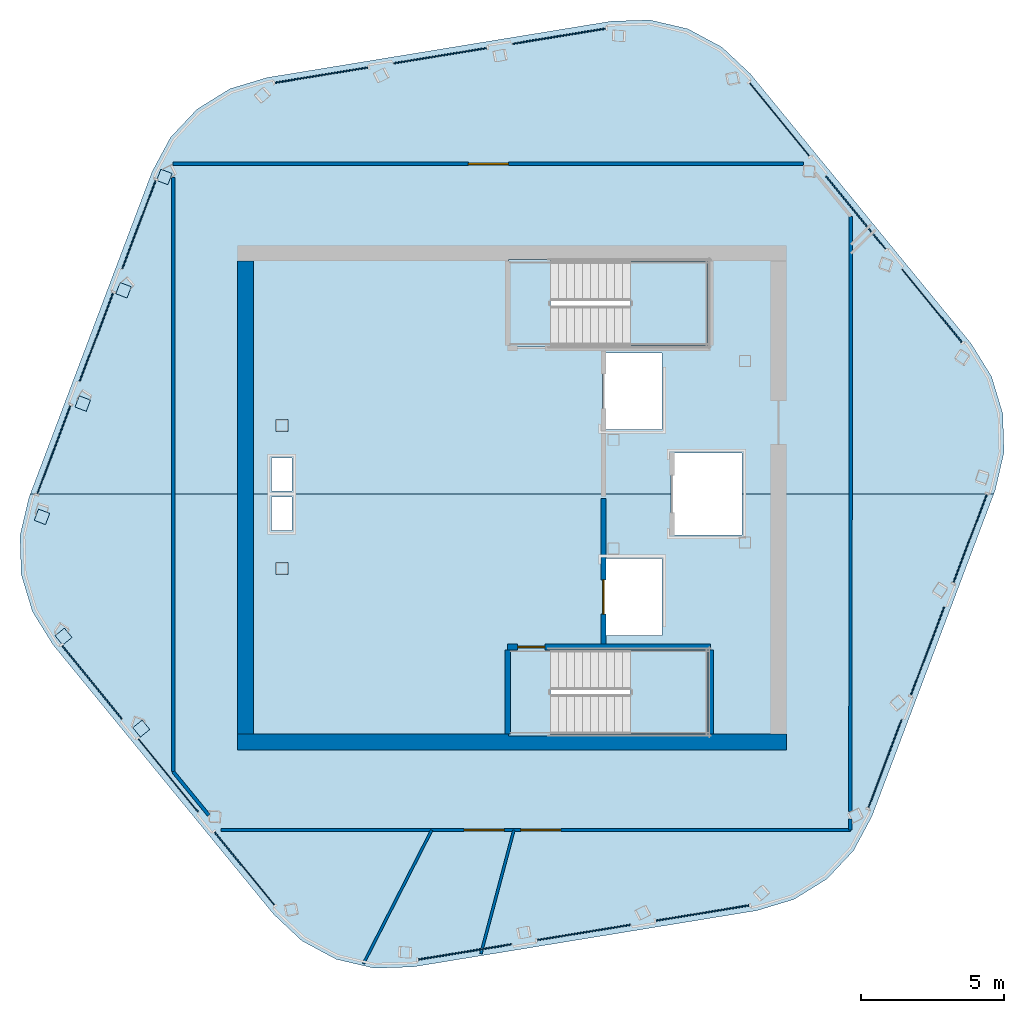
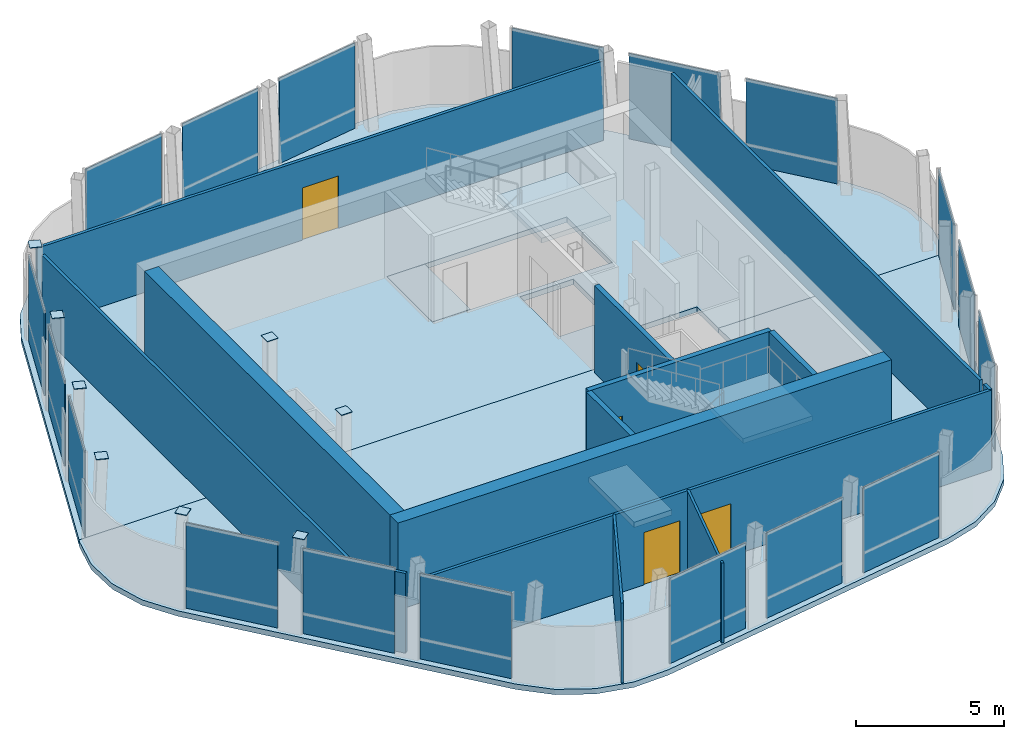
# One storey, part 4 of 8: 26 plates, 14 walls, 6 slabs, 5 doors, 5 openings, 8 elements without a shape of their own.
"""IFC4 building model written with IfcOpenShell, lengths in metres."""

import ifcopenshell
import ifcopenshell.guid

model = None  # the IFC model being written
_history = None  # IfcOwnerHistory: only IFC2X3 demands one
_inside = {}  # id of a spatial element -> (the spatial element, [elements in it])
_under = {}  # id of a project, library or spatial element -> (it, [spatial elements below it])
_declared = {}  # id of a project -> (the project, [libraries it declares])
_typed = {}  # id of a type object -> (the type object, [elements of that type])
_made_of = {}  # id of a material, layer set ... -> (it, [elements and type objects made of it])


def new_model(schema):
    """Start an empty IFC model of exactly this schema.

    Asked for "IFC4X3", IfcOpenShell would pick the latest addendum, in which some entities
    have other attributes; the version numbers below select the first issue.
    IFC2X3 requires an IfcOwnerHistory on every rooted entity: one is made here for all.
    """
    global model, _history
    if schema == "IFC4X3":
        model = ifcopenshell.file(schema_version=(4, 3, 0, 0))
    else:
        model = ifcopenshell.file(schema=schema)
    _inside.clear()
    _under.clear()
    _declared.clear()
    _typed.clear()
    _made_of.clear()
    _history = None
    if model.schema == "IFC2X3":
        org = make("IfcOrganization", Name="unknown")
        user = make(
            "IfcPersonAndOrganization",
            ThePerson=make("IfcPerson", FamilyName="unknown"),
            TheOrganization=org,
        )
        app = make(
            "IfcApplication",
            ApplicationDeveloper=org,
            Version="unknown",
            ApplicationFullName="unknown",
            ApplicationIdentifier="unknown",
        )
        _history = make(
            "IfcOwnerHistory",
            OwningUser=user,
            OwningApplication=app,
            ChangeAction="ADDED",
            CreationDate=0,
        )
    return model


def make(cls, **values):
    """One entity of the class cls with the attributes given. An attribute that is None is left unset."""
    return model.create_entity(
        cls, **{name: value for name, value in values.items() if value is not None}
    )


def rooted(cls, **values):
    """An entity with a GlobalId (a new one), such as an element, a storey or a relation."""
    return make(cls, GlobalId=ifcopenshell.guid.new(), OwnerHistory=_history, **values)


def si_unit(unit_type, name, prefix=None):
    """IfcSIUnit, for example si_unit("LENGTHUNIT", "METRE", prefix="MILLI")."""
    return make("IfcSIUnit", UnitType=unit_type, Prefix=prefix, Name=name)


def assignment(units):
    """IfcUnitAssignment: the units of a project."""
    return None if units is None else make("IfcUnitAssignment", Units=units)


def point(xyz):
    """IfcCartesianPoint."""
    return None if xyz is None else make("IfcCartesianPoint", Coordinates=xyz)


def direction(xyz):
    """IfcDirection."""
    return None if xyz is None else make("IfcDirection", DirectionRatios=xyz)


def frame(location, z_axis=None, x_axis=None):
    """IfcAxis2Placement3D, a coordinate frame: its origin and axes. An axis left out is left unset."""
    return make(
        "IfcAxis2Placement3D",
        Location=point(location),
        Axis=direction(z_axis),
        RefDirection=direction(x_axis),
    )


def frame_2d(location, x_axis=None):
    """IfcAxis2Placement2D, a coordinate frame in the plane: its origin and x axis."""
    return make(
        "IfcAxis2Placement2D", Location=point(location), RefDirection=direction(x_axis)
    )


def origin():
    """The frame at (0, 0, 0) with its axes left unset."""
    return frame((0.0, 0.0, 0.0))


def origin_2d():
    """The frame at (0, 0) in the plane with its x axis left unset."""
    return frame_2d((0.0, 0.0))


def place(relative_to, where):
    """IfcLocalPlacement: puts the frame where relative to a parent placement (None: the world)."""
    return make(
        "IfcLocalPlacement", PlacementRelTo=relative_to, RelativePlacement=where
    )


def context(
    kind, dimensions, precision=None, world=None, true_north=None, identifier=None
):
    """IfcGeometricRepresentationContext, for example the 3D "Model" context."""
    return make(
        "IfcGeometricRepresentationContext",
        ContextIdentifier=identifier,
        ContextType=kind,
        CoordinateSpaceDimension=dimensions,
        Precision=precision,
        WorldCoordinateSystem=world,
        TrueNorth=true_north,
    )


def subcontext(parent, identifier, kind, view, scale=None):
    """IfcGeometricRepresentationSubContext, for example "Body" below "Model"."""
    return make(
        "IfcGeometricRepresentationSubContext",
        ContextIdentifier=identifier,
        ContextType=kind,
        ParentContext=parent,
        TargetScale=scale,
        TargetView=view,
    )


def project(units=None, contexts=None):
    """IfcProject with its units and contexts."""
    return rooted(
        "IfcProject",
        Name="project",
        RepresentationContexts=contexts,
        UnitsInContext=assignment(units),
    )


def spatial(cls, under=None, at=None, **own):
    """A site, building, storey or space (cls), placed at a placement, below another one or the project."""
    s = rooted(cls, ObjectPlacement=at, **own)
    if under is not None:
        _under.setdefault(under.id(), (under, []))[1].append(s)
    return s


def polyline(points):
    """IfcPolyline through the points."""
    return make("IfcPolyline", Points=[point(p) for p in points])


def profile(cls, at=None, kind="AREA", **sizes):
    """A parametric profile (cls). Its sizes go by their IFC names, for example OverallWidth=200.0."""
    return make(cls, ProfileType=kind, Position=at, **sizes)


def rectangle(**sizes):
    """IfcRectangleProfileDef."""
    return profile("IfcRectangleProfileDef", **sizes)


def outline(outer, holes=None, kind="AREA"):
    """IfcArbitraryClosedProfileDef: a profile drawn as a closed curve; with holes, ...WithVoids."""
    if holes is None:
        return make("IfcArbitraryClosedProfileDef", ProfileType=kind, OuterCurve=outer)
    return make(
        "IfcArbitraryProfileDefWithVoids",
        ProfileType=kind,
        OuterCurve=outer,
        InnerCurves=holes,
    )


def extrude(swept, where, along, depth):
    """IfcExtrudedAreaSolid: the profile swept, set in the frame where, extruded along a direction by depth."""
    return make(
        "IfcExtrudedAreaSolid",
        SweptArea=swept,
        Position=where,
        ExtrudedDirection=direction(along),
        Depth=depth,
    )


def shape(context_of_items, identifier, shape_type, items):
    """IfcShapeRepresentation: the items that make up one representation, for example the "Body"."""
    return make(
        "IfcShapeRepresentation",
        ContextOfItems=context_of_items,
        RepresentationIdentifier=identifier,
        RepresentationType=shape_type,
        Items=items,
    )


def material(Name=None, Category=None):
    """IfcMaterial."""
    return make("IfcMaterial", Name=Name, Category=Category)


def layer(
    of_material, thickness, ventilated=None, Name=None, Category=None, Priority=None
):
    """IfcMaterialLayer: one layer of a wall or slab, of a material (None: an air gap)."""
    return make(
        "IfcMaterialLayer",
        Material=of_material,
        LayerThickness=thickness,
        IsVentilated=ventilated,
        Name=Name,
        Category=Category,
        Priority=Priority,
    )


def layer_set(layers, Name=None):
    """IfcMaterialLayerSet."""
    return make("IfcMaterialLayerSet", MaterialLayers=layers, LayerSetName=Name)


def made_of(thing, what):
    """Note that an element or type object is made of a material, layer set ...; save() writes the relation."""
    if what is not None:
        _made_of.setdefault(what.id(), (what, []))[1].append(thing)
    return thing


def type_object(cls, material=None, **own):
    """A type object (cls), such as IfcWallType, which elements share."""
    return made_of(rooted(cls, **own), material)


def element(
    cls,
    number,
    at=None,
    inside=None,
    cuts=None,
    type_object=None,
    material=None,
    context=None,
    identifier="Body",
    shape_type=None,
    held_by="IfcProductDefinitionShape",
    body=None,
    shapes=None,
    **own,
):
    """One element of the class cls, such as IfcWall. Its Tag is "e" and its number.

    at: its placement. inside: the storey or other place that contains it. cuts: it is an
    opening in that element (IfcRelVoidsElement). A single representation is given by context,
    identifier, shape_type and body (its items); several are given by shapes. held_by: the class
    of the entity that holds the representations. save() writes the other relations.
    """
    e = rooted(cls, Tag="e%d" % number, ObjectPlacement=at, **own)
    if body is not None:
        shapes = [shape(context, identifier, shape_type, body)]
    if shapes is not None:
        e.Representation = make(held_by, Representations=shapes)
    if inside is not None:
        _inside.setdefault(inside.id(), (inside, []))[1].append(e)
    if cuts is not None:
        rooted(
            "IfcRelVoidsElement", RelatingBuildingElement=cuts, RelatedOpeningElement=e
        )
    if type_object is not None:
        _typed.setdefault(type_object.id(), (type_object, []))[1].append(e)
    return made_of(e, material)


def fill(opening, filler):
    """IfcRelFillsElement: the door or window that sits in an opening."""
    return rooted(
        "IfcRelFillsElement",
        RelatingOpeningElement=opening,
        RelatedBuildingElement=filler,
    )


def aggregate(whole, parts):
    """IfcRelAggregates: a whole, such as a stair, and the parts it consists of."""
    return rooted("IfcRelAggregates", RelatingObject=whole, RelatedObjects=parts)


def save(model, path):
    """Write the relations noted so far, then the file.

    IfcRelAggregates (storeys below a building ...), IfcRelContainedInSpatialStructure (elements
    in a storey), IfcRelDefinesByType, IfcRelAssociatesMaterial and IfcRelDeclares: one each for
    every whole, place, type object, material and project.
    """
    for whole, parts in _under.values():
        aggregate(whole, parts)
    for where, things in _inside.values():
        rooted(
            "IfcRelContainedInSpatialStructure",
            RelatedElements=things,
            RelatingStructure=where,
        )
    for kind, things in _typed.values():
        rooted("IfcRelDefinesByType", RelatedObjects=things, RelatingType=kind)
    for what, things in _made_of.values():
        rooted("IfcRelAssociatesMaterial", RelatedObjects=things, RelatingMaterial=what)
    for by, libraries in _declared.values():
        rooted("IfcRelDeclares", RelatingContext=by, RelatedDefinitions=libraries)
    model.write(path)


model = new_model("IFC4")

# Units and contexts
model_context = context("Model", 3, precision=1e-05, world=origin(), true_north=direction((0.0, 1.0)))
body_context = subcontext(model_context, "Body", "Model", "MODEL_VIEW")
ifc_project = project(units=[si_unit("LENGTHUNIT", "METRE"), si_unit("AREAUNIT", "SQUARE_METRE"), si_unit("VOLUMEUNIT", "CUBIC_METRE"), si_unit("PLANEANGLEUNIT", "RADIAN"), si_unit("MASSUNIT", "GRAM", prefix="KILO")], contexts=[model_context])

# Site, building, storey
site_placement = place(None, origin())
site = spatial("IfcSite", under=ifc_project, at=site_placement, CompositionType="ELEMENT")
building_placement = place(site_placement, origin())
building = spatial("IfcBuilding", under=site, at=building_placement, Name="Valkerne Bourse Tower", CompositionType="ELEMENT")
storey_placement = place(building_placement, frame((0.0, 0.0, 323.0)))
storey = spatial("IfcBuildingStorey", under=building, at=storey_placement, Name="L82", CompositionType="ELEMENT", Elevation=323.0)

# Curtain wall, plates
ifc_material_1 = material(Name="Aluminium AA 6063-T6", Category="aluminium")
ifc_layer_1 = layer(ifc_material_1, 0.25)
ifc_layer_set_1 = layer_set([ifc_layer_1], Name="Aluminium AA 6063-T6")
curtain_wall_type = type_object("IfcCurtainWallType", Name="CW-06", PredefinedType="NOTDEFINED", material=ifc_layer_set_1)
curtain_wall_1_placement = place(storey_placement, origin())
curtain_wall_1 = element("IfcCurtainWall", 1, at=curtain_wall_1_placement, inside=storey, type_object=curtain_wall_type, Name="L82 Hexagonal Stick Curtain Wall Face 1", PredefinedType="NOTDEFINED")
ifc_material_2 = material(Name="Bronze Anodised Aluminium AA 6063-T6", Category="aluminium")
ifc_layer_2 = layer(ifc_material_2, 0.0400390625)
ifc_layer_set_2 = layer_set([ifc_layer_2], Name="Bronze Anodised Aluminium AA 6063-T6")
plate_type_1 = type_object("IfcPlateType", Name="CW-PNL-LOUVRE-40", PredefinedType="CURTAIN_PANEL", material=ifc_layer_set_2)
plate_1_placement = place(storey_placement, frame((48.445556640625, 43.01513671875, 0.030029296875), z_axis=(0.0, 0.0, 1.0), x_axis=(-0.98685517608, -0.161607120647, 0.0)))
plate_1 = element("IfcPlate", 2, at=plate_1_placement, type_object=plate_type_1, Name="CW-L82-F1 Curtain Panel 00", PredefinedType="CURTAIN_PANEL", context=body_context, shape_type="SweptSolid", body=[
    extrude(rectangle(XDim=3.2919921875, YDim=0.0400390625, at=origin_2d()), origin(), (0.0, 0.0, 1.0), 3.52001953125),
])
plate_2_placement = place(storey_placement, frame((44.288818359375, 42.33447265625, 0.030029296875), z_axis=(0.0, 0.0, 1.0), x_axis=(-0.986854556011, -0.161610907056, 0.0)))
plate_2 = element("IfcPlate", 3, at=plate_2_placement, type_object=plate_type_1, Name="CW-L82-F1 Curtain Panel 01", PredefinedType="CURTAIN_PANEL", context=body_context, shape_type="SweptSolid", body=[
    extrude(rectangle(XDim=3.2919921875, YDim=0.0400390625, at=origin_2d()), origin(), (0.0, 0.0, 1.0), 3.52001953125),
])
plate_3_placement = place(storey_placement, frame((40.132080078125, 41.65380859375, 0.030029296875), z_axis=(0.0, 0.0, 1.0), x_axis=(-0.986858342261, -0.161587785149, 0.0)))
plate_3 = element("IfcPlate", 4, at=plate_3_placement, type_object=plate_type_1, Name="CW-L82-F1 Curtain Panel 02", PredefinedType="CURTAIN_PANEL", context=body_context, shape_type="SweptSolid", body=[
    extrude(rectangle(XDim=3.2919921875, YDim=0.0400390625, at=origin_2d()), origin(), (0.0, 0.0, 1.0), 3.52001953125),
])
aggregate(curtain_wall_1, [plate_1, plate_2, plate_3])

curtain_wall_2_placement = place(storey_placement, origin())
curtain_wall_2 = element("IfcCurtainWall", 5, at=curtain_wall_2_placement, inside=storey, type_object=curtain_wall_type, Name="L82 Hexagonal Stick Curtain Wall Face 2", PredefinedType="NOTDEFINED")
plate_4_placement = place(storey_placement, frame((33.753173828125, 36.4326171875, 0.030029296875), z_axis=(0.0, 0.0, 1.0), x_axis=(-0.353487366331, -0.935439298856, 0.0)))
plate_4 = element("IfcPlate", 6, at=plate_4_placement, type_object=plate_type_1, Name="CW-L82-F2 Curtain Panel 00", PredefinedType="CURTAIN_PANEL", context=body_context, shape_type="SweptSolid", body=[
    extrude(rectangle(XDim=3.2919921875, YDim=0.0400390625, at=origin_2d()), origin(), (0.0, 0.0, 1.0), 3.52001953125),
])
plate_5_placement = place(storey_placement, frame((32.264404296875, 32.49267578125, 0.030029296875), z_axis=(0.0, 0.0, 1.0), x_axis=(-0.353466591137, -0.935447149202, 0.0)))
plate_5 = element("IfcPlate", 7, at=plate_5_placement, type_object=plate_type_1, Name="CW-L82-F2 Curtain Panel 01", PredefinedType="CURTAIN_PANEL", context=body_context, shape_type="SweptSolid", body=[
    extrude(rectangle(XDim=3.2919921875, YDim=0.0400390625, at=origin_2d()), origin(), (0.0, 0.0, 1.0), 3.52001953125),
])
plate_6_placement = place(storey_placement, frame((30.775634765625, 28.552490234375, 0.030029296875), z_axis=(0.0, 0.0, 1.0), x_axis=(-0.353466591137, -0.935447149202, 0.0)))
plate_6 = element("IfcPlate", 8, at=plate_6_placement, type_object=plate_type_1, Name="CW-L82-F2 Curtain Panel 02", PredefinedType="CURTAIN_PANEL", context=body_context, shape_type="SweptSolid", body=[
    extrude(rectangle(XDim=3.2919921875, YDim=0.0400390625, at=origin_2d()), origin(), (0.0, 0.0, 1.0), 3.52001953125),
])
aggregate(curtain_wall_2, [plate_4, plate_5, plate_6])

curtain_wall_3_placement = place(storey_placement, origin())
curtain_wall_3 = element("IfcCurtainWall", 9, at=curtain_wall_3_placement, inside=storey, type_object=curtain_wall_type, Name="L82 Hexagonal Stick Curtain Wall Face 3", PredefinedType="NOTDEFINED")
plate_7_placement = place(storey_placement, frame((32.107666015625, 20.41748046875, 0.030029296875), z_axis=(0.0, 0.0, 1.0), x_axis=(0.633382580386, -0.773838811939, 0.0)))
plate_7 = element("IfcPlate", 10, at=plate_7_placement, type_object=plate_type_1, Name="CW-L82-F3 Curtain Panel 00", PredefinedType="CURTAIN_PANEL", context=body_context, shape_type="SweptSolid", body=[
    extrude(rectangle(XDim=3.2919921875, YDim=0.0400390625, at=origin_2d()), origin(), (0.0, 0.0, 1.0), 3.52001953125),
])
plate_8_placement = place(storey_placement, frame((34.775390625, 17.158203125, 0.030029296875), z_axis=(0.0, 0.0, 1.0), x_axis=(0.633382580386, -0.773838811939, 0.0)))
plate_8 = element("IfcPlate", 11, at=plate_8_placement, type_object=plate_type_1, Name="CW-L82-F3 Curtain Panel 01", PredefinedType="CURTAIN_PANEL", context=body_context, shape_type="SweptSolid", body=[
    extrude(rectangle(XDim=3.2919921875, YDim=0.0400390625, at=origin_2d()), origin(), (0.0, 0.0, 1.0), 3.52001953125),
])
plate_9_placement = place(storey_placement, frame((37.443359375, 13.898681640625, 0.030029296875), z_axis=(0.0, 0.0, 1.0), x_axis=(0.633382580386, -0.773838811939, 0.0)))
plate_9 = element("IfcPlate", 12, at=plate_9_placement, type_object=plate_type_1, Name="CW-L82-F3 Curtain Panel 02", PredefinedType="CURTAIN_PANEL", context=body_context, shape_type="SweptSolid", body=[
    extrude(rectangle(XDim=3.2919921875, YDim=0.0400390625, at=origin_2d()), origin(), (0.0, 0.0, 1.0), 3.52001953125),
])
aggregate(curtain_wall_3, [plate_7, plate_8, plate_9])

curtain_wall_4_placement = place(storey_placement, origin())
curtain_wall_4 = element("IfcCurtainWall", 13, at=curtain_wall_4_placement, inside=storey, type_object=curtain_wall_type, Name="L82 Hexagonal Stick Curtain Wall Face 4", PredefinedType="NOTDEFINED")
plate_10_placement = place(storey_placement, frame((45.154541015625, 10.98486328125, 0.030029296875), z_axis=(0.0, 0.0, 1.0), x_axis=(0.98685517608, 0.161607120647, 0.0)))
plate_10 = element("IfcPlate", 14, at=plate_10_placement, type_object=plate_type_1, Name="CW-L82-F4 Curtain Panel 00", PredefinedType="CURTAIN_PANEL", context=body_context, shape_type="SweptSolid", body=[
    extrude(rectangle(XDim=3.2919921875, YDim=0.0400390625, at=origin_2d()), origin(), (0.0, 0.0, 1.0), 3.52001953125),
])
plate_11_placement = place(storey_placement, frame((49.31103515625, 11.66552734375, 0.030029296875), z_axis=(0.0, 0.0, 1.0), x_axis=(0.986854556011, 0.161610907056, 0.0)))
plate_11 = element("IfcPlate", 15, at=plate_11_placement, type_object=plate_type_1, Name="CW-L82-F4 Curtain Panel 01", PredefinedType="CURTAIN_PANEL", context=body_context, shape_type="SweptSolid", body=[
    extrude(rectangle(XDim=3.2919921875, YDim=0.0400390625, at=origin_2d()), origin(), (0.0, 0.0, 1.0), 3.52001953125),
])
plate_12_placement = place(storey_placement, frame((53.4677734375, 12.34619140625, 0.030029296875), z_axis=(0.0, 0.0, 1.0), x_axis=(0.986858342261, 0.161587785149, 0.0)))
plate_12 = element("IfcPlate", 16, at=plate_12_placement, type_object=plate_type_1, Name="CW-L82-F4 Curtain Panel 02", PredefinedType="CURTAIN_PANEL", context=body_context, shape_type="SweptSolid", body=[
    extrude(rectangle(XDim=3.2919921875, YDim=0.0400390625, at=origin_2d()), origin(), (0.0, 0.0, 1.0), 3.52001953125),
])
aggregate(curtain_wall_4, [plate_10, plate_11, plate_12])

curtain_wall_5_placement = place(storey_placement, origin())
curtain_wall_5 = element("IfcCurtainWall", 17, at=curtain_wall_5_placement, inside=storey, type_object=curtain_wall_type, Name="L82 Hexagonal Stick Curtain Wall Face 5", PredefinedType="NOTDEFINED")
plate_13_placement = place(storey_placement, frame((59.8466796875, 17.5673828125, 0.030029296875), z_axis=(0.0, 0.0, 1.0), x_axis=(0.353487366331, 0.935439298856, 0.0)))
plate_13 = element("IfcPlate", 18, at=plate_13_placement, type_object=plate_type_1, Name="CW-L82-F5 Curtain Panel 00", PredefinedType="CURTAIN_PANEL", context=body_context, shape_type="SweptSolid", body=[
    extrude(rectangle(XDim=3.2919921875, YDim=0.0400390625, at=origin_2d()), origin(), (0.0, 0.0, 1.0), 3.52001953125),
])
plate_14_placement = place(storey_placement, frame((61.335693359375, 21.50732421875, 0.030029296875), z_axis=(0.0, 0.0, 1.0), x_axis=(0.353466591137, 0.935447149202, 0.0)))
plate_14 = element("IfcPlate", 19, at=plate_14_placement, type_object=plate_type_1, Name="CW-L82-F5 Curtain Panel 01", PredefinedType="CURTAIN_PANEL", context=body_context, shape_type="SweptSolid", body=[
    extrude(rectangle(XDim=3.2919921875, YDim=0.0400390625, at=origin_2d()), origin(), (0.0, 0.0, 1.0), 3.52001953125),
])
plate_15_placement = place(storey_placement, frame((62.824462890625, 25.447509765625, 0.030029296875), z_axis=(0.0, 0.0, 1.0), x_axis=(0.353466591137, 0.935447149202, 0.0)))
plate_15 = element("IfcPlate", 20, at=plate_15_placement, type_object=plate_type_1, Name="CW-L82-F5 Curtain Panel 02", PredefinedType="CURTAIN_PANEL", context=body_context, shape_type="SweptSolid", body=[
    extrude(rectangle(XDim=3.2919921875, YDim=0.0400390625, at=origin_2d()), origin(), (0.0, 0.0, 1.0), 3.52001953125),
])
aggregate(curtain_wall_5, [plate_13, plate_14, plate_15])

curtain_wall_6_placement = place(storey_placement, origin())
curtain_wall_6 = element("IfcCurtainWall", 21, at=curtain_wall_6_placement, inside=storey, type_object=curtain_wall_type, Name="L82 Hexagonal Stick Curtain Wall Face 6", PredefinedType="NOTDEFINED")
plate_16_placement = place(storey_placement, frame((61.4921875, 33.58251953125, 0.030029296875), z_axis=(0.0, 0.0, 1.0), x_axis=(-0.633382580386, 0.773838811939, 0.0)))
plate_16 = element("IfcPlate", 22, at=plate_16_placement, type_object=plate_type_1, Name="CW-L82-F6 Curtain Panel 00", PredefinedType="CURTAIN_PANEL", context=body_context, shape_type="SweptSolid", body=[
    extrude(rectangle(XDim=3.2919921875, YDim=0.0400390625, at=origin_2d()), origin(), (0.0, 0.0, 1.0), 3.52001953125),
])
plate_17_placement = place(storey_placement, frame((58.824462890625, 36.841796875, 0.030029296875), z_axis=(0.0, 0.0, 1.0), x_axis=(-0.633382580386, 0.773838811939, 0.0)))
plate_17 = element("IfcPlate", 23, at=plate_17_placement, type_object=plate_type_1, Name="CW-L82-F6 Curtain Panel 01", PredefinedType="CURTAIN_PANEL", context=body_context, shape_type="SweptSolid", body=[
    extrude(rectangle(XDim=3.2919921875, YDim=0.0400390625, at=origin_2d()), origin(), (0.0, 0.0, 1.0), 3.52001953125),
])
plate_18_placement = place(storey_placement, frame((56.15673828125, 40.101318359375, 0.030029296875), z_axis=(0.0, 0.0, 1.0), x_axis=(-0.633382580386, 0.773838811939, 0.0)))
plate_18 = element("IfcPlate", 24, at=plate_18_placement, type_object=plate_type_1, Name="CW-L82-F6 Curtain Panel 02", PredefinedType="CURTAIN_PANEL", context=body_context, shape_type="SweptSolid", body=[
    extrude(rectangle(XDim=3.2919921875, YDim=0.0400390625, at=origin_2d()), origin(), (0.0, 0.0, 1.0), 3.52001953125),
])
aggregate(curtain_wall_6, [plate_16, plate_17, plate_18])

# Plates
ifc_material_3 = material(Name="Steel ASTM A572 Grade 50", Category="steel")
ifc_layer_3 = layer(ifc_material_3, 0.02490234375)
ifc_layer_set_3 = layer_set([ifc_layer_3], Name="Steel ASTM A572 Grade 50")
plate_type_2 = type_object("IfcPlateType", Name="PLT-CAP-400", PredefinedType="SHEET", material=ifc_layer_set_3)
for number, where, z_axis, x_axis, name in (
    (25, (38.75, 24.39990234375, 3.800048828125), (0.0, 0.0, 1.0), (1.0, 0.0, 0.0), "L82 HSS400 Column Head Cap Plate PLT-CAP400-L82-001"),
    (26, (38.75, 29.39990234375, 3.800048828125), (0.0, 0.0, 1.0), (1.0, 0.0, 0.0), "L82 HSS400 Column Head Cap Plate PLT-CAP400-L82-002"),
    (27, (34.639404296875, 38.09228515625, 3.791015625), (0.0, 0.0, 1.0), (-0.353474843779, -0.93544403083, 0.0), "L82 HSS400 Column Head Cap Plate PLT-CAP400-L82-007"),
    (28, (33.212890625, 34.129150390625, 3.791015625), (0.0, 0.0, 1.0), (-0.353474843779, -0.93544403083, 0.0), "L82 HSS400 Column Head Cap Plate PLT-CAP400-L82-008"),
    (29, (31.7861328125, 30.166015625, 3.791015625), (0.0, 0.0, 1.0), (-0.353474843779, -0.93544403083, 0.0), "L82 HSS400 Column Head Cap Plate PLT-CAP400-L82-009"),
    (30, (30.359619140625, 26.202880859375, 3.791015625), (0.0, 0.0, 1.0), (-0.353474843779, -0.93544403083, 0.0), "L82 HSS400 Column Head Cap Plate PLT-CAP400-L82-010"),
    (31, (31.113525390625, 22.0146484375, 3.791015625), (0.0, 0.0, 1.0), (0.633380872628, -0.773840209727, 0.0), "L82 HSS400 Column Head Cap Plate PLT-CAP400-L82-011"),
    (32, (33.832275390625, 18.797607421875, 3.791015625), (0.0, 0.0, 1.0), (0.633380872628, -0.773840209727, 0.0), "L82 HSS400 Column Head Cap Plate PLT-CAP400-L82-012"),
):
    element("IfcPlate", number, at=place(storey_placement, frame(where, z_axis=z_axis, x_axis=x_axis)), inside=storey, type_object=plate_type_2, Name=name, PredefinedType="SHEET", context=body_context, shape_type="SweptSolid", body=[
        extrude(rectangle(XDim=0.419921875, YDim=0.419921875, at=origin_2d()), origin(), (0.0, 0.0, 1.0), 0.02490234375),
    ])

# Slabs
ifc_material_4 = material(Name="Concrete C40/50", Category="concrete")
ifc_layer_4 = layer(ifc_material_4, 0.219970703125)
ifc_layer_set_4 = layer_set([ifc_layer_4], Name="Concrete C40/50")
slab_type_1 = type_object("IfcSlabType", Name="SLB-CRN-220", PredefinedType="FLOOR", material=ifc_layer_set_4)
slab_1_placement = place(storey_placement, frame((0.0, 0.0, -0.219970703125)))
element("IfcSlab", 33, at=slab_1_placement, inside=storey, type_object=slab_type_1, Name="L82 Hexagonal Composite Floor Slab S", PredefinedType="FLOOR", context=body_context, shape_type="SweptSolid", body=[
    extrude(outline(polyline([(59.388671875, 15.724609375), (58.747314453125, 14.5283203125), (57.818115234375, 13.53857421875), (56.664306640625, 12.8232421875), (55.36474609375, 12.430908203125), (43.32958984375, 10.460205078125), (41.97265625, 10.41748046875), (40.651123046875, 10.727294921875), (39.454833984375, 11.368896484375), (38.465087890625, 12.298095703125), (30.74072265625, 21.735595703125), (30.025390625, 22.889404296875), (29.633056640625, 24.188720703125), (29.590576171875, 25.545654296875), (29.900390625, 26.8671875), (29.95068359375, 27.0), (52.360107421875, 27.0), (52.360107421875, 25.56005859375), (54.840087890625, 25.56005859375), (54.840087890625, 27.0), (63.6494140625, 27.0), (59.388671875, 15.724609375)]), holes=[polyline([(46.6650390625, 18.534912109375), (53.675048828125, 18.534912109375), (53.675048828125, 21.614990234375), (46.6650390625, 21.614990234375), (46.6650390625, 18.534912109375)]), polyline([(49.9599609375, 24.739990234375), (49.9599609375, 22.06005859375), (52.0400390625, 22.06005859375), (52.0400390625, 24.739990234375), (49.9599609375, 24.739990234375)]), polyline([(38.3798828125, 26.89990234375), (38.3798828125, 25.72998046875), (39.10009765625, 25.72998046875), (39.10009765625, 26.89990234375), (38.3798828125, 26.89990234375)])]), origin(), (0.0, 0.0, 1.0), 0.219970703125),
])
slab_2_placement = place(storey_placement, frame((0.0, 0.0, -0.219970703125)))
element("IfcSlab", 34, at=slab_2_placement, inside=storey, type_object=slab_type_1, Name="L82 Hexagonal Composite Floor Slab N", PredefinedType="FLOOR", context=body_context, shape_type="SweptSolid", body=[
    extrude(outline(polyline([(63.57470703125, 31.110595703125), (63.966796875, 29.811279296875), (64.009521484375, 28.454345703125), (63.69970703125, 27.1328125), (63.6494140625, 27.0), (54.840087890625, 27.0), (54.840087890625, 28.43994140625), (52.360107421875, 28.43994140625), (52.360107421875, 27.0), (29.95068359375, 27.0), (34.211181640625, 38.275390625), (34.852783203125, 39.4716796875), (35.781982421875, 40.46142578125), (36.935791015625, 41.1767578125), (38.235107421875, 41.569091796875), (50.2705078125, 43.539794921875), (51.627197265625, 43.58251953125), (52.948974609375, 43.272705078125), (54.145263671875, 42.631103515625), (55.134765625, 41.701904296875), (62.859130859375, 32.264404296875), (63.57470703125, 31.110595703125)]), holes=[polyline([(38.3798828125, 28.27001953125), (38.3798828125, 27.10009765625), (39.10009765625, 27.10009765625), (39.10009765625, 28.27001953125), (38.3798828125, 28.27001953125)]), polyline([(49.9599609375, 31.93994140625), (49.9599609375, 29.260009765625), (52.0400390625, 29.260009765625), (52.0400390625, 31.93994140625), (49.9599609375, 31.93994140625)]), polyline([(46.6650390625, 35.215087890625), (46.6650390625, 32.135009765625), (53.675048828125, 32.135009765625), (53.675048828125, 35.215087890625), (46.6650390625, 35.215087890625)])]), origin(), (0.0, 0.0, 1.0), 0.219970703125),
])
ifc_layer_5 = layer(ifc_material_4, 0.25)
ifc_layer_set_5 = layer_set([ifc_layer_5], Name="Concrete C40/50")
slab_type_2 = type_object("IfcSlabType", Name="SLB-RMP-LND-250", PredefinedType="LANDING", material=ifc_layer_set_5)
slab_3_placement = place(storey_placement, frame((0.0, 0.0, -0.219970703125)))
element("IfcSlab", 35, at=slab_3_placement, inside=storey, type_object=slab_type_2, Name="L82 ST-1 Floor Landing Slab", PredefinedType="LANDING", context=body_context, shape_type="SweptSolid", body=[
    extrude(outline(polyline([(46.669921875, 18.5400390625), (48.14990234375, 18.5400390625), (48.14990234375, 21.610107421875), (46.669921875, 21.610107421875), (46.669921875, 18.5400390625)])), origin(), (0.0, 0.0, 1.0), 0.219970703125),
])
slab_4_placement = place(storey_placement, frame((0.0, 0.0, -0.219970703125)))
element("IfcSlab", 36, at=slab_4_placement, inside=storey, type_object=slab_type_2, Name="L82 ST-2 Floor Landing Slab", PredefinedType="LANDING", context=body_context, shape_type="SweptSolid", body=[
    extrude(outline(polyline([(46.669921875, 32.139892578125), (48.14990234375, 32.139892578125), (48.14990234375, 35.2099609375), (46.669921875, 35.2099609375), (46.669921875, 32.139892578125)])), origin(), (0.0, 0.0, 1.0), 0.219970703125),
])

# Stair, slab
stair_type = type_object("IfcStairType", Name="ST-CORE-1400", PredefinedType="HALF_TURN_STAIR", material=ifc_material_4)
stair_1_placement = place(storey_placement, origin())
stair_1 = element("IfcStair", 37, at=stair_1_placement, inside=storey, type_object=stair_type, Name="L82 ST-1", PredefinedType="HALF_TURN_STAIR")
ifc_layer_6 = layer(ifc_material_4, 0.179931640625)
ifc_layer_set_6 = layer_set([ifc_layer_6], Name="Concrete C40/50")
slab_type_3 = type_object("IfcSlabType", Name="SLB-ST-LND-180", PredefinedType="LANDING", material=ifc_layer_set_6)
slab_5_placement = place(storey_placement, frame((0.0, 0.0, 1.699951171875)))
slab_5 = element("IfcSlab", 38, at=slab_5_placement, type_object=slab_type_3, Name="ST-1 landing 1", PredefinedType="LANDING", context=body_context, shape_type="SweptSolid", body=[
    extrude(outline(polyline([(50.949951171875, 18.60009765625), (53.64990234375, 18.60009765625), (53.64990234375, 21.550048828125), (50.949951171875, 21.550048828125), (50.949951171875, 18.60009765625)])), origin(), (0.0, 0.0, 1.0), 0.199951171875),
])
aggregate(stair_1, [slab_5])

stair_2_placement = place(storey_placement, origin())
stair_2 = element("IfcStair", 39, at=stair_2_placement, inside=storey, type_object=stair_type, Name="L82 ST-2", PredefinedType="HALF_TURN_STAIR")
slab_6_placement = place(storey_placement, frame((0.0, 0.0, 1.699951171875)))
slab_6 = element("IfcSlab", 40, at=slab_6_placement, type_object=slab_type_3, Name="ST-2 landing 1", PredefinedType="LANDING", context=body_context, shape_type="SweptSolid", body=[
    extrude(outline(polyline([(50.949951171875, 32.199951171875), (53.64990234375, 32.199951171875), (53.64990234375, 35.14990234375), (50.949951171875, 35.14990234375), (50.949951171875, 32.199951171875)])), origin(), (0.0, 0.0, 1.0), 0.199951171875),
])
aggregate(stair_2, [slab_6])

# Walls
ifc_material_5 = material(Name="Concrete C55/67", Category="concrete")
ifc_layer_7 = layer(ifc_material_5, 0.550048828125)
ifc_layer_set_7 = layer_set([ifc_layer_7], Name="Concrete C55/67")
wall_type_1 = type_object("IfcWallType", Name="W-CORE-550", PredefinedType="SHEAR", material=ifc_layer_set_7)
wall_1_placement = place(storey_placement, frame((37.199951171875, 18.324951171875, 0.0), z_axis=(0.0, 0.0, 1.0), x_axis=(1.0, 0.0, 0.0)))
element("IfcWall", 41, at=wall_1_placement, inside=storey, type_object=wall_type_1, Name="L82 Core Shear Wall SOUTH", PredefinedType="SHEAR", context=body_context, shape_type="SweptSolid", body=[
    extrude(rectangle(XDim=19.199951171875, YDim=0.550048828125, at=frame_2d((9.60009765625, 0.0))), origin(), (0.0, 0.0, 1.0), 3.580078125),
])
wall_2_placement = place(storey_placement, frame((37.47509765625, 18.60009765625, 0.0), z_axis=(0.0, 0.0, 1.0), x_axis=(0.0, 1.0, 0.0)))
element("IfcWall", 42, at=wall_2_placement, inside=storey, type_object=wall_type_1, Name="L82 Core Shear Wall WEST", PredefinedType="SHEAR", context=body_context, shape_type="SweptSolid", body=[
    extrude(rectangle(XDim=16.5498046875, YDim=0.550048828125, at=frame_2d((8.27490234375, 0.0))), origin(), (0.0, 0.0, 1.0), 3.580078125),
])

# Wall, openings, doors
ifc_material_6 = material(Name="Gypsum Board Steel-Stud Partition", Category="steel")
ifc_layer_8 = layer(ifc_material_6, 0.117919921875)
ifc_layer_set_8 = layer_set([ifc_layer_8], Name="Gypsum Board Steel-Stud Partition")
wall_type_2 = type_object("IfcWallType", Name="W-CORR-140", PredefinedType="PARTITIONING", material=ifc_layer_set_8)
wall_3_placement = place(storey_placement, frame((58.635009765625, 15.25, 0.0), z_axis=(0.0, 0.0, 1.0), x_axis=(-1.0, 0.0, 0.0)))
wall_3 = element("IfcWall", 43, at=wall_3_placement, inside=storey, type_object=wall_type_2, Name="L82 Corridor Enclosure Wall", PredefinedType="PARTITIONING", context=body_context, shape_type="SweptSolid", body=[
    extrude(rectangle(XDim=22.01708984375, YDim=0.117919921875, at=frame_2d((11.008544921875, 0.0))), origin(), (0.0, 0.0, 1.0), 3.280029296875),
])
opening_1_placement = place(wall_3_placement, frame((12.108642578125, 0.0, 0.0)))
opening_1 = element("IfcOpeningElement", 44, at=opening_1_placement, cuts=wall_3, Name="Opening D-PL-1400", PredefinedType="OPENING", context=body_context, shape_type="SweptSolid", body=[
    extrude(rectangle(XDim=1.39990234375, YDim=2.14990234375, at=frame_2d((0.699951171875, 1.074951171875))), frame((0.0, 0.06884765625, 0.0), z_axis=(0.0, -1.0, 0.0), x_axis=(1.0, 0.0, 0.0)), (0.0, 0.0, 1.0), 0.137939453125),
])
opening_2_placement = place(wall_3_placement, frame((10.128662109375, 0.0, 0.0)))
opening_2 = element("IfcOpeningElement", 45, at=opening_2_placement, cuts=wall_3, Name="Opening D-PL-1400", PredefinedType="OPENING", context=body_context, shape_type="SweptSolid", body=[
    extrude(rectangle(XDim=1.39990234375, YDim=2.14990234375, at=frame_2d((0.699951171875, 1.074951171875))), frame((0.0, 0.06884765625, 0.0), z_axis=(0.0, -1.0, 0.0), x_axis=(1.0, 0.0, 0.0)), (0.0, 0.0, 1.0), 0.137939453125),
])
ifc_material_7 = material(Name="Galvanised Painted Steel", Category="steel")
door_type_1 = type_object("IfcDoorType", Name="DR-PLT-1400", OperationType="DOUBLE_DOOR_SINGLE_SWING", PredefinedType="DOOR", material=ifc_material_7)
door_1_placement = place(opening_1_placement, origin())
door_1 = element("IfcDoor", 46, at=door_1_placement, inside=storey, type_object=door_type_1, Name="L82 L82 800-Tonne Tuned Mass Damper Mechanical Plant Chamber 1 Door", OperationType="DOUBLE_DOOR_SINGLE_SWING", OverallHeight=2.14990234375, OverallWidth=1.39990234375, PredefinedType="DOOR", context=body_context, shape_type="SweptSolid", body=[
    extrude(rectangle(XDim=1.39990234375, YDim=2.14990234375, at=frame_2d((0.699951171875, 1.074951171875))), frame((0.0, 0.02490234375, 0.0), z_axis=(0.0, -1.0, 0.0), x_axis=(1.0, 0.0, 0.0)), (0.0, 0.0, 1.0), 0.050048828125),
])
fill(opening_1, door_1)
door_2_placement = place(opening_2_placement, origin())
door_2 = element("IfcDoor", 47, at=door_2_placement, inside=storey, type_object=door_type_1, Name="L82 L82 High-Zone Heat-Recovery AHU Mechanical Plant Room 2 Door", OperationType="DOUBLE_DOOR_SINGLE_SWING", OverallHeight=2.14990234375, OverallWidth=1.39990234375, PredefinedType="DOOR", context=body_context, shape_type="SweptSolid", body=[
    extrude(rectangle(XDim=1.39990234375, YDim=2.14990234375, at=frame_2d((0.699951171875, 1.074951171875))), frame((0.0, 0.02490234375, 0.0), z_axis=(0.0, -1.0, 0.0), x_axis=(1.0, 0.0, 0.0)), (0.0, 0.0, 1.0), 0.050048828125),
])
fill(opening_2, door_2)

# Walls
wall_4_placement = place(storey_placement, frame((36.194580078125, 15.76708984375, 0.0), z_axis=(0.0, 0.0, 1.0), x_axis=(-0.633413688659, 0.773813348954, 0.0)))
element("IfcWall", 48, at=wall_4_placement, inside=storey, type_object=wall_type_2, Name="L82 Corridor Enclosure Wall", PredefinedType="PARTITIONING", context=body_context, shape_type="SweptSolid", body=[
    extrude(rectangle(XDim=1.96484375, YDim=0.117919921875, at=frame_2d((0.982421875, 0.0))), origin(), (0.0, 0.0, 1.0), 3.280029296875),
])
wall_5_placement = place(storey_placement, frame((34.949951171875, 17.28759765625, 0.0), z_axis=(0.0, 0.0, 1.0), x_axis=(0.0, 1.0, 0.0)))
element("IfcWall", 49, at=wall_5_placement, inside=storey, type_object=wall_type_2, Name="L82 Corridor Enclosure Wall", PredefinedType="PARTITIONING", context=body_context, shape_type="SweptSolid", body=[
    extrude(rectangle(XDim=20.781005859375, YDim=0.117919921875, at=frame_2d((10.390625, 0.0))), origin(), (0.0, 0.0, 1.0), 3.280029296875),
])

# Wall, opening, door
wall_6_placement = place(storey_placement, frame((34.949951171875, 38.550048828125, 0.0), z_axis=(0.0, 0.0, 1.0), x_axis=(1.0, 0.0, 0.0)))
wall_6 = element("IfcWall", 50, at=wall_6_placement, inside=storey, type_object=wall_type_2, Name="L82 Corridor Enclosure Wall", PredefinedType="PARTITIONING", context=body_context, shape_type="SweptSolid", body=[
    extrude(rectangle(XDim=22.053466796875, YDim=0.117919921875, at=frame_2d((11.02685546875, 0.0))), origin(), (0.0, 0.0, 1.0), 3.280029296875),
])
opening_3_placement = place(wall_6_placement, frame((10.32666015625, 0.0, 0.0)))
opening_3 = element("IfcOpeningElement", 51, at=opening_3_placement, cuts=wall_6, Name="Opening D-PL-1400", PredefinedType="OPENING", context=body_context, shape_type="SweptSolid", body=[
    extrude(rectangle(XDim=1.39990234375, YDim=2.14990234375, at=frame_2d((0.699951171875, 1.074951171875))), frame((0.0, 0.06884765625, 0.0), z_axis=(0.0, -1.0, 0.0), x_axis=(1.0, 0.0, 0.0)), (0.0, 0.0, 1.0), 0.137939453125),
])
door_3_placement = place(opening_3_placement, origin())
door_3 = element("IfcDoor", 52, at=door_3_placement, inside=storey, type_object=door_type_1, Name="L82 L82 High-Zone Fire Reserve Booster Pump Plant Room 3 Door", OperationType="DOUBLE_DOOR_SINGLE_SWING", OverallHeight=2.14990234375, OverallWidth=1.39990234375, PredefinedType="DOOR", context=body_context, shape_type="SweptSolid", body=[
    extrude(rectangle(XDim=1.39990234375, YDim=2.14990234375, at=frame_2d((0.699951171875, 1.074951171875))), frame((0.0, 0.02490234375, 0.0), z_axis=(0.0, -1.0, 0.0), x_axis=(1.0, 0.0, 0.0)), (0.0, 0.0, 1.0), 0.050048828125),
])
fill(opening_3, door_3)

# Walls
wall_7_placement = place(storey_placement, frame((58.64990234375, 36.71240234375, 0.0), z_axis=(0.0, 0.0, 1.0), x_axis=(-0.000691870935, -0.999999760657, 0.0)))
element("IfcWall", 53, at=wall_7_placement, inside=storey, type_object=wall_type_2, Name="L82 Corridor Enclosure Wall", PredefinedType="PARTITIONING", context=body_context, shape_type="SweptSolid", body=[
    extrude(rectangle(XDim=20.8193359375, YDim=0.117919921875, at=frame_2d((10.40966796875, 0.0))), origin(), (0.0, 0.0, 1.0), 3.280029296875),
])
wall_8_placement = place(storey_placement, frame((58.63525390625, 15.634521484375, 0.0), z_axis=(0.0, 0.0, 1.0), x_axis=(-0.000634920507, -0.999999798438, 0.0)))
element("IfcWall", 54, at=wall_8_placement, inside=storey, type_object=wall_type_2, Name="L82 Corridor Enclosure Wall", PredefinedType="PARTITIONING", context=body_context, shape_type="SweptSolid", body=[
    extrude(rectangle(XDim=0.384521484375, YDim=0.117919921875, at=frame_2d((0.1923828125, 0.0))), origin(), (0.0, 0.0, 1.0), 3.280029296875),
])

# Wall, opening, door
ifc_material_8 = material(Name="Gypsum Fire-Rated Shaftwall", Category="gypsum")
ifc_layer_9 = layer(ifc_material_8, 0.179931640625)
ifc_layer_set_9 = layer_set([ifc_layer_9], Name="Gypsum Fire-Rated Shaftwall")
wall_type_3 = type_object("IfcWallType", Name="W-FSAE-180", PredefinedType="PARTITIONING", material=ifc_layer_set_9)
wall_9_placement = place(storey_placement, frame((50.0, 21.75, 0.0), z_axis=(0.0, 0.0, 1.0), x_axis=(0.0, 1.0, 0.0)))
wall_9 = element("IfcWall", 55, at=wall_9_placement, inside=storey, type_object=wall_type_3, Name="L82 FSAE-1 Lobby & Shaft Front Wall", PredefinedType="PARTITIONING", context=body_context, shape_type="SweptSolid", body=[
    extrude(rectangle(XDim=5.090087890625, YDim=0.179931640625, at=frame_2d((2.544921875, 0.0))), origin(), (0.0, 0.0, 1.0), 3.580078125),
])
opening_4_placement = place(wall_9_placement, frame((1.050048828125, 0.0, 0.0)))
opening_4 = element("IfcOpeningElement", 56, at=opening_4_placement, cuts=wall_9, Name="Opening LD-1200", PredefinedType="OPENING", context=body_context, shape_type="SweptSolid", body=[
    extrude(rectangle(XDim=1.199951171875, YDim=2.14990234375, at=frame_2d((0.60009765625, 1.074951171875))), frame((0.0, 0.099853515625, 0.0), z_axis=(0.0, -1.0, 0.0), x_axis=(1.0, 0.0, 0.0)), (0.0, 0.0, 1.0), 0.199951171875),
])
ifc_material_9 = material(Name="Stainless Steel AISI 316", Category="steel")
door_type_2 = type_object("IfcDoorType", Name="DR-LIFT-1200", OperationType="DOUBLE_DOOR_SLIDING", PredefinedType="DOOR", material=ifc_material_9)
door_4_placement = place(opening_4_placement, origin())
door_4 = element("IfcDoor", 57, at=door_4_placement, inside=storey, type_object=door_type_2, Name="L82 FSAE-1 Firefighting Lift Landing Door", OperationType="DOUBLE_DOOR_SLIDING", OverallHeight=2.14990234375, OverallWidth=1.199951171875, PredefinedType="DOOR", context=body_context, shape_type="SweptSolid", body=[
    extrude(rectangle(XDim=1.199951171875, YDim=2.14990234375, at=frame_2d((0.60009765625, 1.074951171875))), frame((0.0, 0.02490234375, 0.0), z_axis=(0.0, -1.0, 0.0), x_axis=(1.0, 0.0, 0.0)), (0.0, 0.0, 1.0), 0.050048828125),
])
fill(opening_4, door_4)

# Walls
ifc_layer_10 = layer(ifc_material_6, 0.092041015625)
ifc_layer_set_10 = layer_set([ifc_layer_10], Name="Gypsum Board Steel-Stud Partition")
wall_type_4 = type_object("IfcWallType", Name="W-PART-115", PredefinedType="PARTITIONING", material=ifc_layer_set_10)
wall_10_placement = place(storey_placement, frame((46.865234375, 15.2451171875, 0.0), z_axis=(0.0, 0.0, 1.0), x_axis=(-0.257666046135, -0.966234034108, 0.0)))
element("IfcWall", 58, at=wall_10_placement, inside=storey, type_object=wall_type_4, Name="L82 Suite Partition P02", PredefinedType="PARTITIONING", context=body_context, shape_type="SweptSolid", body=[
    extrude(rectangle(XDim=4.47509765625, YDim=0.092041015625, at=frame_2d((2.237548828125, 0.0))), origin(), (0.0, 0.0, 1.0), 3.280029296875),
])
wall_11_placement = place(storey_placement, frame((43.991943359375, 15.2451171875, 0.0), z_axis=(0.0, 0.0, 1.0), x_axis=(-0.455110239537, -0.890435101435, 0.0)))
element("IfcWall", 59, at=wall_11_placement, inside=storey, type_object=wall_type_4, Name="L82 Suite Partition P03", PredefinedType="PARTITIONING", context=body_context, shape_type="SweptSolid", body=[
    extrude(rectangle(XDim=5.244384765625, YDim=0.092041015625, at=frame_2d((2.6220703125, 0.0))), origin(), (0.0, 0.0, 1.0), 3.280029296875),
])

# Wall, opening, door
ifc_layer_11 = layer(ifc_material_4, 0.199951171875)
ifc_layer_set_11 = layer_set([ifc_layer_11], Name="Concrete C40/50")
wall_type_5 = type_object("IfcWallType", Name="W-SHF-200", PredefinedType="SHEAR", material=ifc_layer_set_11)
wall_12_placement = place(storey_placement, frame((46.64990234375, 21.64990234375, 0.0), z_axis=(0.0, 0.0, 1.0), x_axis=(1.0, 0.0, 0.0)))
wall_12 = element("IfcWall", 60, at=wall_12_placement, inside=storey, type_object=wall_type_5, Name="L82 Exit Stair ST-1 Structural Shaft Wall North", PredefinedType="SHEAR", context=body_context, shape_type="SweptSolid", body=[
    extrude(rectangle(XDim=7.10009765625, YDim=0.199951171875, at=frame_2d((3.550048828125, 0.0))), origin(), (0.0, 0.0, 1.0), 3.580078125),
])
opening_5_placement = place(wall_12_placement, frame((0.35009765625, 0.0, 0.0)))
opening_5 = element("IfcOpeningElement", 61, at=opening_5_placement, cuts=wall_12, Name="Opening D-ST-950", PredefinedType="OPENING", context=body_context, shape_type="SweptSolid", body=[
    extrude(rectangle(XDim=0.949951171875, YDim=2.10009765625, at=frame_2d((0.47509765625, 1.050048828125))), frame((0.0, 0.10986328125, 0.0), z_axis=(0.0, -1.0, 0.0), x_axis=(1.0, 0.0, 0.0)), (0.0, 0.0, 1.0), 0.219970703125),
])
door_type_3 = type_object("IfcDoorType", Name="DR-STAIR-950", OperationType="NOTDEFINED", PredefinedType="DOOR", material=ifc_material_7)
door_5_placement = place(opening_5_placement, origin())
door_5 = element("IfcDoor", 62, at=door_5_placement, inside=storey, type_object=door_type_3, Name="L82 Exit Stair ST-1 Door", OperationType="SINGLE_SWING_LEFT", OverallHeight=2.10009765625, OverallWidth=0.949951171875, PredefinedType="DOOR", context=body_context, shape_type="SweptSolid", body=[
    extrude(rectangle(XDim=0.949951171875, YDim=2.10009765625, at=frame_2d((0.47509765625, 1.050048828125))), frame((0.0, 0.02490234375, 0.0), z_axis=(0.0, -1.0, 0.0), x_axis=(1.0, 0.0, 0.0)), (0.0, 0.0, 1.0), 0.050048828125),
])
fill(opening_5, door_5)

# Walls
for number, where, z_axis, x_axis, name in (
    (63, (46.64990234375, 18.60009765625, 0.0), (0.0, 0.0, 1.0), (0.0, 1.0, 0.0), "L82 Exit Stair ST-1 Structural Shaft Wall West"),
    (64, (53.75, 18.60009765625, 0.0), (0.0, 0.0, 1.0), (0.0, 1.0, 0.0), "L82 Exit Stair ST-1 Structural Shaft Wall East"),
):
    element("IfcWall", number, at=place(storey_placement, frame(where, z_axis=z_axis, x_axis=x_axis)), inside=storey, type_object=wall_type_5, Name=name, PredefinedType="SHEAR", context=body_context, shape_type="SweptSolid", body=[
        extrude(rectangle(XDim=2.949951171875, YDim=0.199951171875, at=frame_2d((1.47509765625, 0.0))), origin(), (0.0, 0.0, 1.0), 3.580078125),
    ])

save(model, "model.ifc")
